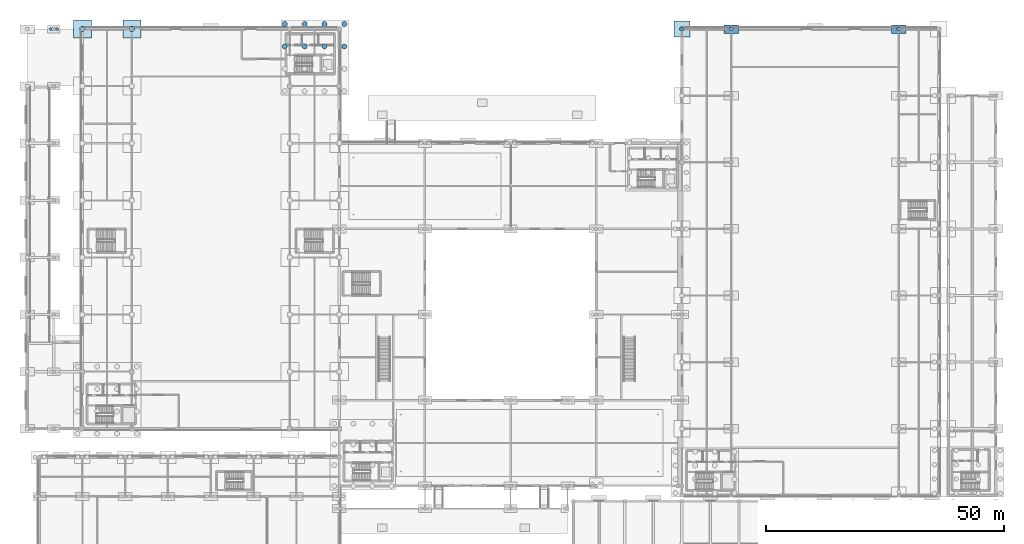
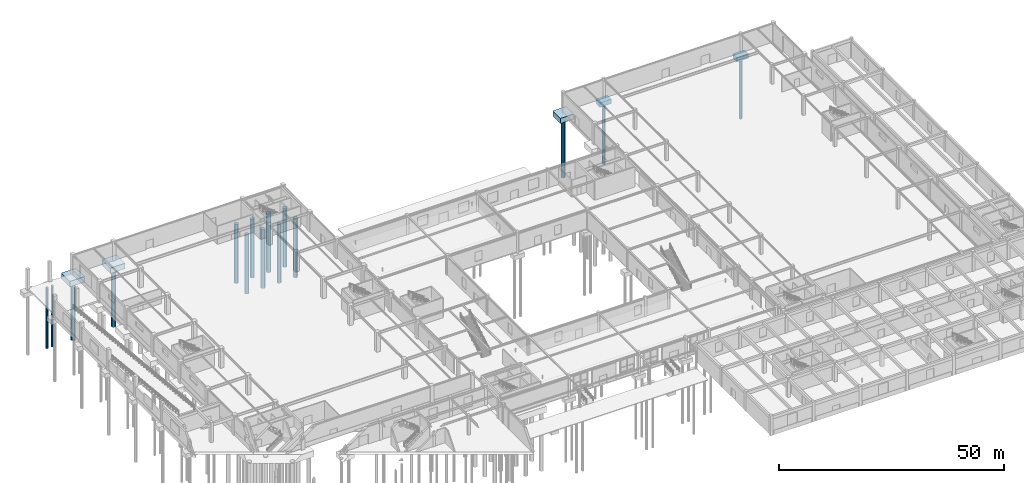
# One storey, part 6 of 53: 15 piles, 5 footings.
"""IFC4 building model written with IfcOpenShell, lengths in metres."""

from ifc_helpers import new_model, si_unit, derived_unit, direction, frame, origin, origin_2d, place, context, subcontext, project, spatial, polyline, circle, outline, extrude, material, layer, layer_set, material_profile, profile_set, type_object, element, save


model = new_model("IFC4")

# Units and contexts
model_context = context("Model", 3, precision=1e-05, world=origin(), true_north=direction((0.0, 1.0)))
body_context = subcontext(model_context, "Body", "Model", "MODEL_VIEW")
ifc_project = project(units=[si_unit("LENGTHUNIT", "METRE"), si_unit("AREAUNIT", "SQUARE_METRE"), si_unit("VOLUMEUNIT", "CUBIC_METRE"), si_unit("PLANEANGLEUNIT", "RADIAN"), si_unit("MASSUNIT", "GRAM", prefix="KILO"), derived_unit("THERMALTRANSMITTANCEUNIT", [(si_unit("POWERUNIT", "WATT"), 1), (si_unit("LENGTHUNIT", "METRE"), -2), (si_unit("THERMODYNAMICTEMPERATUREUNIT", "KELVIN"), -1)])], contexts=[model_context])

# Site, building, storey
site_placement = place(None, origin())
site = spatial("IfcSite", under=ifc_project, at=site_placement, CompositionType="ELEMENT")
building_placement = place(site_placement, origin())
building = spatial("IfcBuilding", under=site, at=building_placement, Name="Almenara Railside Exhibition Hall", CompositionType="ELEMENT")
storey_placement = place(building_placement, origin())
storey = spatial("IfcBuildingStorey", under=building, at=storey_placement, Name="L00", CompositionType="ELEMENT", Elevation=0.0)

# Piles
ifc_material = material(Name="Concrete C40/50", Category="concrete")
ifc_material_profile_1 = material_profile(ifc_material, circle(Radius=0.52490234375, at=origin_2d()), Name="CFA-PILE D1050")
ifc_profile_set_1 = profile_set([ifc_material_profile_1], Name="Concrete C40/50")
pile_type_1 = type_object("IfcPileType", Name="CFA Bored Pile D1050 C40/50", PredefinedType="BORED", material=ifc_profile_set_1)
for number, where, z_axis, x_axis, name in (
    (1, (54.544921875, 128.35205078125, -1.989990234375), (0.0, 0.0, -1.0), (1.0, 0.0, 0.0), "Bored pile 0019"),
    (2, (54.544921875, 133.054931640625, -1.989990234375), (0.0, 0.0, -1.0), (1.0, 0.0, 0.0), "Bored pile 0020"),
    (3, (58.715087890625, 128.35205078125, -1.989990234375), (0.0, 0.0, -1.0), (1.0, 0.0, 0.0), "Bored pile 0023"),
    (4, (58.715087890625, 133.054931640625, -1.989990234375), (0.0, 0.0, -1.0), (1.0, 0.0, 0.0), "Bored pile 0024"),
    (5, (62.885009765625, 128.35205078125, -1.989990234375), (0.0, 0.0, -1.0), (1.0, 0.0, 0.0), "Bored pile 0027"),
    (6, (62.885009765625, 133.054931640625, -1.989990234375), (0.0, 0.0, -1.0), (1.0, 0.0, 0.0), "Bored pile 0028"),
    (7, (67.054931640625, 128.35205078125, -1.989990234375), (0.0, 0.0, -1.0), (1.0, 0.0, 0.0), "Bored pile 0031"),
    (8, (67.054931640625, 133.054931640625, -1.989990234375), (0.0, 0.0, -1.0), (1.0, 0.0, 0.0), "Bored pile 0032"),
):
    element("IfcPile", number, at=place(storey_placement, frame(where, z_axis=z_axis, x_axis=x_axis)), inside=storey, type_object=pile_type_1, Name=name, PredefinedType="BORED", context=body_context, shape_type="SweptSolid", body=[
        extrude(circle(Radius=0.52490234375, at=origin_2d()), origin(), (0.0, 0.0, 1.0), 16.010009765625),
    ])
for number, where, z_axis, x_axis, name in (
    (9, (12.0, 132.0, -1.840087890625), (0.0, 0.0, -1.0), (1.0, 0.0, 0.0), "Bored pile 0166"),
    (10, (22.39990234375, 132.0, -1.840087890625), (0.0, 0.0, -1.0), (1.0, 0.0, 0.0), "Bored pile 0167"),
):
    element("IfcPile", number, at=place(storey_placement, frame(where, z_axis=z_axis, x_axis=x_axis)), inside=storey, type_object=pile_type_1, Name=name, PredefinedType="BORED", context=body_context, shape_type="SweptSolid", body=[
        extrude(circle(Radius=0.52490234375, at=origin_2d()), origin(), (0.0, 0.0, 1.0), 16.159912109375),
    ])
ifc_material_profile_2 = material_profile(ifc_material, circle(Radius=0.300048828125, at=origin_2d()), Name="CFA-PILE D600")
ifc_profile_set_2 = profile_set([ifc_material_profile_2], Name="Concrete C40/50")
pile_type_2 = type_object("IfcPileType", Name="CFA Bored Pile D600 C40/50", PredefinedType="BORED", material=ifc_profile_set_2)
for number, where, z_axis, x_axis, name in (
    (11, (5.320068359375, 132.0, -1.43994140625), (0.0, 0.0, -1.0), (1.0, 0.0, 0.0), "Bored pile 0319"),
    (12, (6.679931640625, 132.0, -1.43994140625), (0.0, 0.0, -1.0), (1.0, 0.0, 0.0), "Bored pile 0320"),
):
    element("IfcPile", number, at=place(storey_placement, frame(where, z_axis=z_axis, x_axis=x_axis)), inside=storey, type_object=pile_type_2, Name=name, PredefinedType="BORED", context=body_context, shape_type="SweptSolid", body=[
        extrude(circle(Radius=0.300048828125, at=origin_2d()), origin(), (0.0, 0.0, 1.0), 16.56005859375),
    ])
ifc_material_profile_3 = material_profile(ifc_material, circle(Radius=0.375, at=origin_2d()), Name="CFA-PILE D750")
ifc_profile_set_3 = profile_set([ifc_material_profile_3], Name="Concrete C40/50")
pile_type_3 = type_object("IfcPileType", Name="CFA Bored Pile D750 C40/50", PredefinedType="BORED", material=ifc_profile_set_3)
for number, where, z_axis, x_axis, name in (
    (13, (148.39990234375, 132.0, -1.5400390625), (0.0, 0.0, -1.0), (1.0, 0.0, 0.0), "Bored pile 0201"),
    (14, (183.60009765625, 132.0, -1.5400390625), (0.0, 0.0, -1.0), (1.0, 0.0, 0.0), "Bored pile 0202"),
):
    element("IfcPile", number, at=place(storey_placement, frame(where, z_axis=z_axis, x_axis=x_axis)), inside=storey, type_object=pile_type_3, Name=name, PredefinedType="BORED", context=body_context, shape_type="SweptSolid", body=[
        extrude(circle(Radius=0.375, at=origin_2d()), origin(), (0.0, 0.0, 1.0), 16.4599609375),
    ])
ifc_material_profile_4 = material_profile(ifc_material, circle(Radius=0.449951171875, at=origin_2d()), Name="CFA-PILE D900")
ifc_profile_set_4 = profile_set([ifc_material_profile_4], Name="Concrete C40/50")
pile_type_4 = type_object("IfcPileType", Name="CFA Bored Pile D900 C40/50", PredefinedType="BORED", material=ifc_profile_set_4)
pile_placement = place(storey_placement, frame((138.0, 132.0, -1.739990234375), z_axis=(0.0, 0.0, -1.0), x_axis=(1.0, 0.0, 0.0)))
element("IfcPile", 15, at=pile_placement, inside=storey, type_object=pile_type_4, Name="Bored pile 0199", PredefinedType="BORED", context=body_context, shape_type="SweptSolid", body=[
    extrude(circle(Radius=0.449951171875, at=origin_2d()), origin(), (0.0, 0.0, 1.0), 16.260009765625),
])

# Footings
ifc_layer_1 = layer(ifc_material, 1.199951171875, Name="Concrete C40/50")
ifc_layer_set_1 = layer_set([ifc_layer_1], Name="Concrete C40/50")
footing_type_1 = type_object("IfcFootingType", Name="Gallery Two-Pile Cap 3000x1800x1200 C40/50", PredefinedType="PILE_CAP", material=ifc_layer_set_1)
footing_1_placement = place(storey_placement, frame((0.0, 0.0, -1.639892578125)))
element("IfcFooting", 16, at=footing_1_placement, inside=storey, type_object=footing_type_1, Name="Pile cap PC-2G-059", PredefinedType="PILE_CAP", context=body_context, shape_type="SweptSolid", body=[
    extrude(outline(polyline([(146.89990234375, 131.10009765625), (149.89990234375, 131.10009765625), (149.89990234375, 132.89990234375), (146.89990234375, 132.89990234375), (146.89990234375, 131.10009765625)])), origin(), (0.0, 0.0, 1.0), 1.199951171875),
])
footing_2_placement = place(storey_placement, frame((0.0, 0.0, -1.639892578125)))
element("IfcFooting", 17, at=footing_2_placement, inside=storey, type_object=footing_type_1, Name="Pile cap PC-2G-060", PredefinedType="PILE_CAP", context=body_context, shape_type="SweptSolid", body=[
    extrude(outline(polyline([(182.10009765625, 131.10009765625), (185.10009765625, 131.10009765625), (185.10009765625, 132.89990234375), (182.10009765625, 132.89990234375), (182.10009765625, 131.10009765625)])), origin(), (0.0, 0.0, 1.0), 1.199951171875),
])
ifc_layer_2 = layer(ifc_material, 1.39990234375, Name="Concrete C40/50")
ifc_layer_set_2 = layer_set([ifc_layer_2], Name="Concrete C40/50")
footing_type_2 = type_object("IfcFootingType", Name="Hall Four-Pile Cap 3400x3400x1400 C40/50", PredefinedType="PILE_CAP", material=ifc_layer_set_2)
footing_3_placement = place(storey_placement, frame((0.0, 0.0, -1.840087890625)))
element("IfcFooting", 18, at=footing_3_placement, inside=storey, type_object=footing_type_2, Name="Pile cap PC-4H-057", PredefinedType="PILE_CAP", context=body_context, shape_type="SweptSolid", body=[
    extrude(outline(polyline([(136.300048828125, 130.300048828125), (139.699951171875, 130.300048828125), (139.699951171875, 133.699951171875), (136.300048828125, 133.699951171875), (136.300048828125, 130.300048828125)])), origin(), (0.0, 0.0, 1.0), 1.400146484375),
])
ifc_layer_3 = layer(ifc_material, 1.5, Name="Concrete C40/50")
ifc_layer_set_3 = layer_set([ifc_layer_3], Name="Concrete C40/50")
footing_type_3 = type_object("IfcFootingType", Name="Transfer Four-Pile Cap 3800x3800x1500 C40/50", PredefinedType="PILE_CAP", material=ifc_layer_set_3)
footing_4_placement = place(storey_placement, frame((0.0, 0.0, -1.93994140625)))
element("IfcFooting", 19, at=footing_4_placement, inside=storey, type_object=footing_type_3, Name="Pile cap PC-4T-031", PredefinedType="PILE_CAP", context=body_context, shape_type="SweptSolid", body=[
    extrude(outline(polyline([(10.10009765625, 130.10009765625), (13.89990234375, 130.10009765625), (13.89990234375, 133.89990234375), (10.10009765625, 133.89990234375), (10.10009765625, 130.10009765625)])), origin(), (0.0, 0.0, 1.0), 1.5),
])
footing_5_placement = place(storey_placement, frame((0.0, 0.0, -1.93994140625)))
element("IfcFooting", 20, at=footing_5_placement, inside=storey, type_object=footing_type_3, Name="Pile cap PC-4T-032", PredefinedType="PILE_CAP", context=body_context, shape_type="SweptSolid", body=[
    extrude(outline(polyline([(20.5, 130.10009765625), (24.300048828125, 130.10009765625), (24.300048828125, 133.89990234375), (20.5, 133.89990234375), (20.5, 130.10009765625)])), origin(), (0.0, 0.0, 1.0), 1.5),
])

save(model, "model.ifc")
